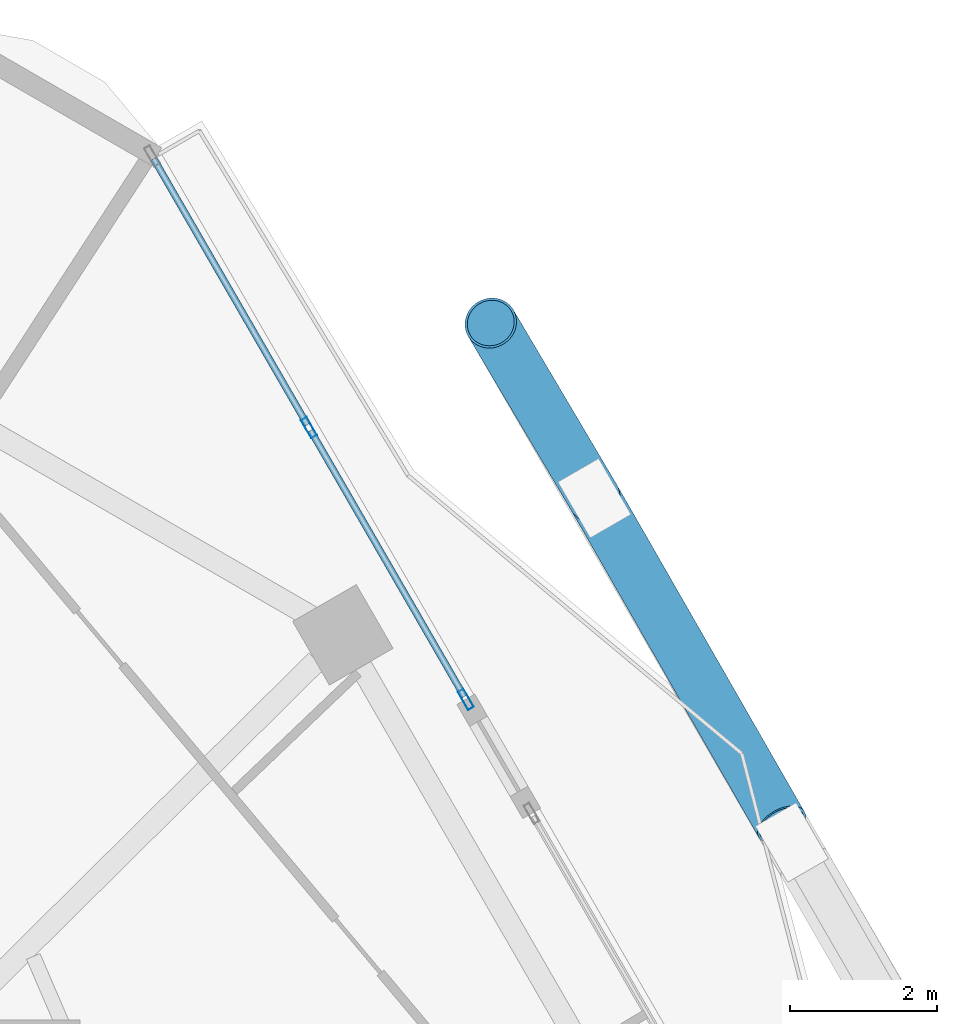
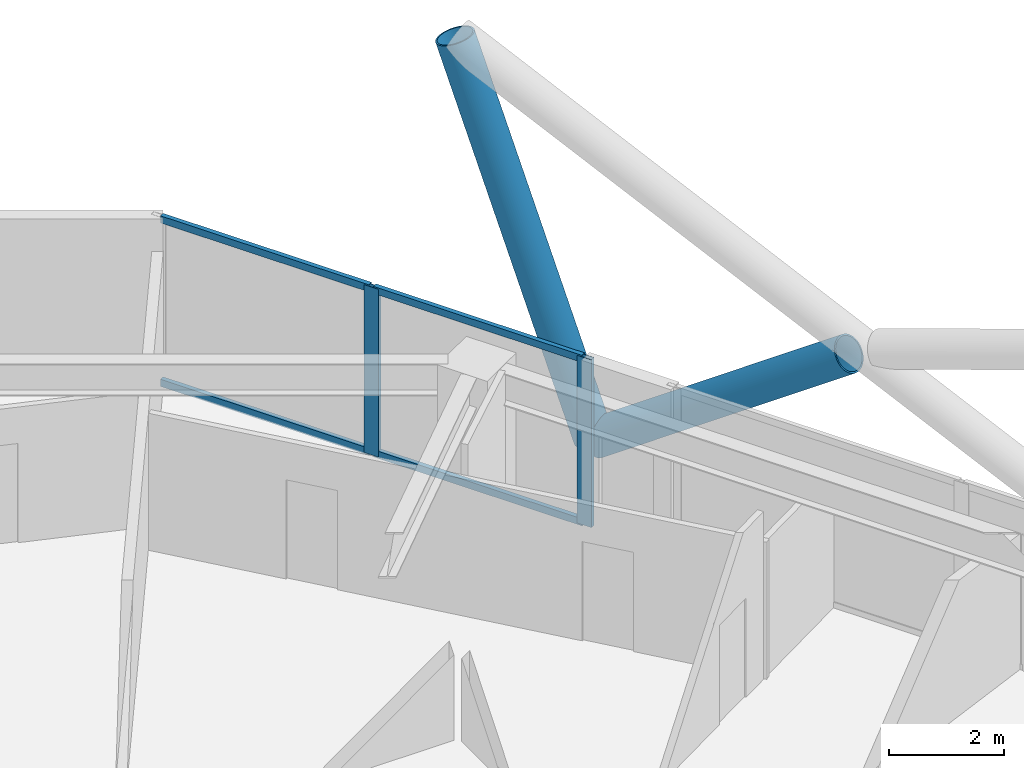
# One storey, part 18 of 28: 8 members, 1 element without a shape of its own.
"""IFC4 building model written with IfcOpenShell, lengths in metres."""

from ifc_helpers import new_model, si_unit, direction, frame, origin, origin_2d, place, context, subcontext, project, spatial, hollow_rectangle, hollow_circle, extrude, material, material_profile, profile_set, type_object, element, aggregate, save


model = new_model("IFC4")

# Units and contexts
model_context = context("Model", 3, precision=1e-05, world=origin(), true_north=direction((0.0, 1.0)))
body_context = subcontext(model_context, "Body", "Model", "MODEL_VIEW")
ifc_project = project(units=[si_unit("LENGTHUNIT", "METRE"), si_unit("AREAUNIT", "SQUARE_METRE"), si_unit("VOLUMEUNIT", "CUBIC_METRE"), si_unit("PLANEANGLEUNIT", "RADIAN"), si_unit("MASSUNIT", "GRAM", prefix="KILO")], contexts=[model_context])

# Site, building, storey
site_placement = place(None, origin())
site = spatial("IfcSite", under=ifc_project, at=site_placement, CompositionType="ELEMENT")
building_placement = place(site_placement, origin())
building = spatial("IfcBuilding", under=site, at=building_placement, Name="Zuhravey Tower", CompositionType="ELEMENT")
storey_placement = place(building_placement, frame((0.0, 0.0, 169.39990234375)))
storey = spatial("IfcBuildingStorey", under=building, at=storey_placement, Name="L42", CompositionType="ELEMENT", Elevation=169.39990234375)

# Curtain wall, members
ifc_material_1 = material(Name="Thermally broken anodised aluminium", Category="aluminium")
curtain_wall_type = type_object("IfcCurtainWallType", Name="Zone 1-2 Residential Curtain Wall CW3", PredefinedType="NOTDEFINED", material=ifc_material_1)
curtain_wall_placement = place(storey_placement, origin())
curtain_wall = element("IfcCurtainWall", 1, at=curtain_wall_placement, inside=storey, type_object=curtain_wall_type, Name="L42 CW3 CW-L42-F1-1", PredefinedType="NOTDEFINED")
ifc_material_2 = material(Name="Anodised aluminium", Category="aluminium")
ifc_material_profile_1 = material_profile(ifc_material_2, hollow_rectangle(XDim=0.090087890625, YDim=0.284912109375, WallThickness=0.0048828125, at=origin_2d()), Name="ALU-RHS-90x285x5")
ifc_profile_set_1 = profile_set([ifc_material_profile_1], Name="Anodised aluminium")
member_type_1 = type_object("IfcMemberType", Name="Curtain-Wall Mullion 90x180", PredefinedType="MULLION", material=ifc_profile_set_1)
member_1_placement = place(storey_placement, frame((54.765380859375, 53.86376953125, 0.0), z_axis=(0.0, 0.0, 1.0), x_axis=(0.86602173302, 0.500006357897, 0.0)))
member_1 = element("IfcMember", 2, at=member_1_placement, type_object=member_type_1, Name="CW3 mullion 2", PredefinedType="MULLION", context=body_context, shape_type="SweptSolid", body=[
    extrude(hollow_rectangle(XDim=0.090087890625, YDim=0.284912109375, WallThickness=0.0048828125, at=origin_2d()), origin(), (0.0, 0.0, 1.0), 3.550048828125),
])
member_2_placement = place(storey_placement, frame((56.8974609375, 50.170654296875, 0.0), z_axis=(0.0, 0.0, 1.0), x_axis=(0.86602173302, 0.500006357897, 0.0)))
member_2 = element("IfcMember", 3, at=member_2_placement, type_object=member_type_1, Name="CW3 mullion 3", PredefinedType="MULLION", context=body_context, shape_type="SweptSolid", body=[
    extrude(hollow_rectangle(XDim=0.090087890625, YDim=0.284912109375, WallThickness=0.0048828125, at=origin_2d()), origin(), (0.0, 0.0, 1.0), 3.550048828125),
])
ifc_material_profile_2 = material_profile(ifc_material_2, hollow_rectangle(XDim=0.090087890625, YDim=0.14990234375, WallThickness=0.0048828125, at=origin_2d()), Name="ALU-RHS-90x150x5")
ifc_profile_set_2 = profile_set([ifc_material_profile_2], Name="Anodised aluminium")
member_type_2 = type_object("IfcMemberType", Name="Curtain-Wall Transom 90x150", PredefinedType="USERDEFINED", material=ifc_profile_set_2)
member_3_placement = place(storey_placement, frame((52.65576171875, 57.517578125, 0.045166015625), z_axis=(0.500007657314, -0.866020982787, 0.0), x_axis=(0.866020982787, 0.500007657314, 0.0)))
member_3 = element("IfcMember", 4, at=member_3_placement, type_object=member_type_2, Name="CW3 transom 1.1", ObjectType="TRANSOM", PredefinedType="USERDEFINED", context=body_context, shape_type="SweptSolid", body=[
    extrude(hollow_rectangle(XDim=0.090087890625, YDim=0.14990234375, WallThickness=0.0048828125, at=origin_2d()), origin(), (0.0, 0.0, 1.0), 4.17431640625),
])
member_4_placement = place(storey_placement, frame((52.65576171875, 57.517578125, 3.505126953125), z_axis=(0.500007657314, -0.866020982787, 0.0), x_axis=(0.866020982787, 0.500007657314, 0.0)))
member_4 = element("IfcMember", 5, at=member_4_placement, type_object=member_type_2, Name="CW3 transom 1.2", ObjectType="TRANSOM", PredefinedType="USERDEFINED", context=body_context, shape_type="SweptSolid", body=[
    extrude(hollow_rectangle(XDim=0.090087890625, YDim=0.14990234375, WallThickness=0.0048828125, at=origin_2d()), origin(), (0.0, 0.0, 1.0), 4.17431640625),
])
member_5_placement = place(storey_placement, frame((54.787841796875, 53.82470703125, 0.045166015625), z_axis=(0.500007657314, -0.866020982787, 0.0), x_axis=(0.866020982787, 0.500007657314, 0.0)))
member_5 = element("IfcMember", 6, at=member_5_placement, type_object=member_type_2, Name="CW3 transom 2.1", ObjectType="TRANSOM", PredefinedType="USERDEFINED", context=body_context, shape_type="SweptSolid", body=[
    extrude(hollow_rectangle(XDim=0.090087890625, YDim=0.14990234375, WallThickness=0.0048828125, at=origin_2d()), origin(), (0.0, 0.0, 1.0), 4.17431640625),
])
member_6_placement = place(storey_placement, frame((54.787841796875, 53.82470703125, 3.505126953125), z_axis=(0.500007657314, -0.866020982787, 0.0), x_axis=(0.866020982787, 0.500007657314, 0.0)))
member_6 = element("IfcMember", 7, at=member_6_placement, type_object=member_type_2, Name="CW3 transom 2.2", ObjectType="TRANSOM", PredefinedType="USERDEFINED", context=body_context, shape_type="SweptSolid", body=[
    extrude(hollow_rectangle(XDim=0.090087890625, YDim=0.14990234375, WallThickness=0.0048828125, at=origin_2d()), origin(), (0.0, 0.0, 1.0), 4.17431640625),
])
aggregate(curtain_wall, [member_1, member_2, member_3, member_4, member_5, member_6])

# Members
ifc_material_3 = material(Name="Steel SM460", Category="steel")
ifc_material_profile_3 = material_profile(ifc_material_3, hollow_circle(Radius=0.355712890625, WallThickness=0.031982421875, at=origin_2d()), Name="CHS-711.2x32")
ifc_profile_set_3 = profile_set([ifc_material_profile_3], Name="Steel SM460")
member_type_3 = type_object("IfcMemberType", Name="Exoskeleton Zone 2 Diagrid CHS711x32", PredefinedType="BRACE", material=ifc_profile_set_3)
member_7_placement = place(storey_placement, frame((58.641357421875, 52.910400390625, -0.44384765625), z_axis=(-0.174643023153, 0.295076026787, 0.939377428343), x_axis=(-0.8605687688, -0.509334265651, 0.0)))
element("IfcMember", 8, at=member_7_placement, inside=storey, type_object=member_type_3, Name="L42 Face 1 Diagrid Brace 4", PredefinedType="BRACE", context=body_context, shape_type="SweptSolid", body=[
    extrude(hollow_circle(Radius=0.355712890625, WallThickness=0.031982421875, at=origin_2d()), origin(), (0.0, 0.0, 1.0), 8.0478515625),
])
member_8_placement = place(storey_placement, frame((58.664306640625, 52.870361328125, -0.4365234375), z_axis=(0.406784247849, -0.709108472675, 0.5759268614), x_axis=(0.867409677622, 0.497594665535, 0.0)))
element("IfcMember", 9, at=member_8_placement, inside=storey, type_object=member_type_3, Name="L42 Face 1 Split Diagrid Brace 3A", PredefinedType="BRACE", context=body_context, shape_type="SweptSolid", body=[
    extrude(hollow_circle(Radius=0.355712890625, WallThickness=0.031982421875, at=origin_2d()), origin(), (0.0, 0.0, 1.0), 6.205078125),
])

save(model, "model.ifc")
